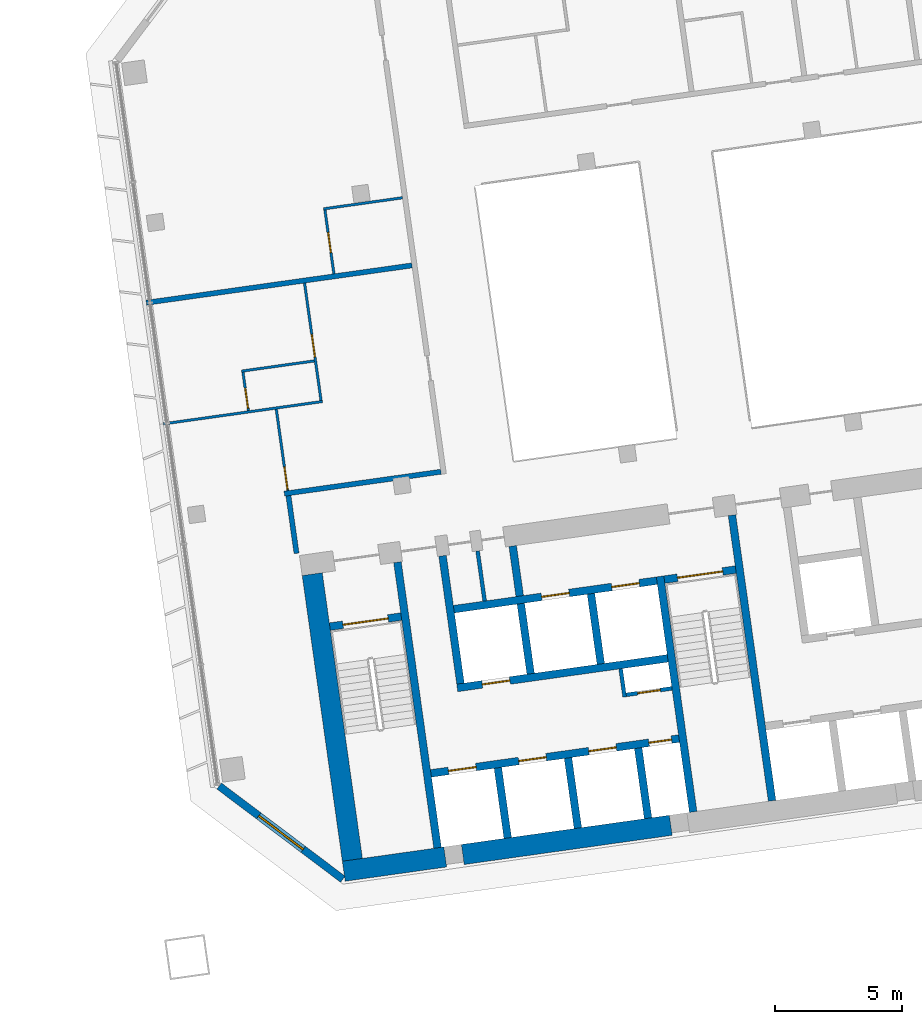
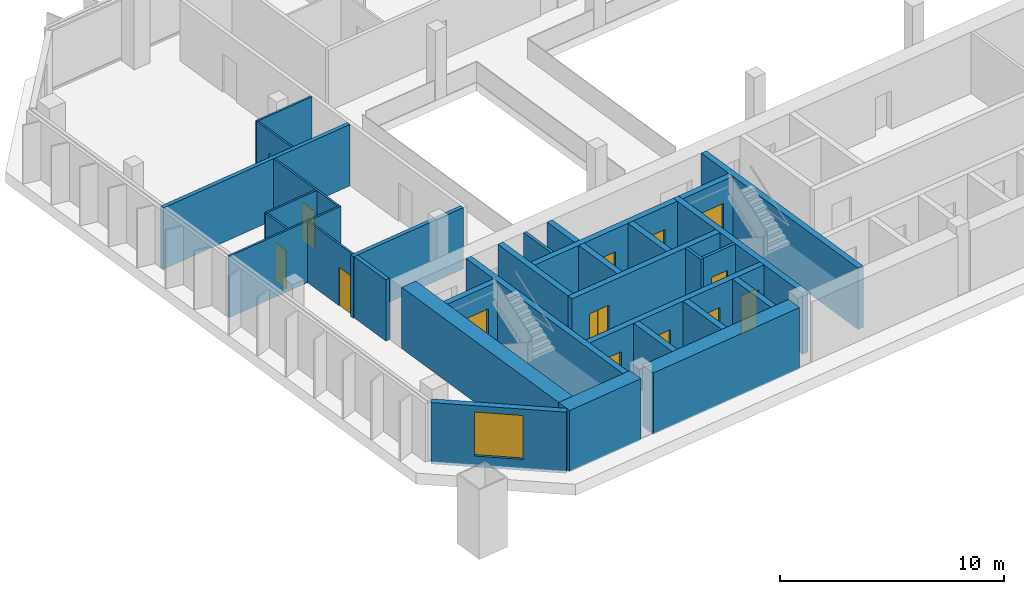
# One storey, part 18 of 24: 32 walls, 14 doors, 1 window, 15 openings.
"""IFC4 building model written with IfcOpenShell, lengths in metres."""

from ifc_helpers import new_model, si_unit, direction, frame, frame_2d, origin, place, context, subcontext, project, spatial, rectangle, extrude, material, layer, layer_set, type_object, element, fill, save


model = new_model("IFC4")

# Units and contexts
model_context = context("Model", 3, precision=1e-05, world=origin(), true_north=direction((0.0, 1.0)))
body_context = subcontext(model_context, "Body", "Model", "MODEL_VIEW")
ifc_project = project(units=[si_unit("LENGTHUNIT", "METRE"), si_unit("AREAUNIT", "SQUARE_METRE"), si_unit("VOLUMEUNIT", "CUBIC_METRE"), si_unit("PLANEANGLEUNIT", "RADIAN"), si_unit("MASSUNIT", "GRAM", prefix="KILO")], contexts=[model_context])

# Site, building, storey
site_placement = place(None, origin())
site = spatial("IfcSite", under=ifc_project, at=site_placement, CompositionType="ELEMENT")
building_placement = place(site_placement, origin())
building = spatial("IfcBuilding", under=site, at=building_placement, Name="Mirante Cascada Hotel Towers", CompositionType="ELEMENT")
storey_placement = place(building_placement, frame((0.0, 0.0, 132.9)))
storey = spatial("IfcBuildingStorey", under=building, at=storey_placement, Name="L30", CompositionType="ELEMENT", Elevation=132.9)

# Walls
ifc_material_1 = material(Name="Fire-rated plasterboard on metal studs")
ifc_layer_1 = layer(ifc_material_1, 0.2)
ifc_layer_set_1 = layer_set([ifc_layer_1], Name="Compartment wall 200 EI 120")
wall_type_1 = type_object("IfcWallType", Name="Compartment wall 200 EI 120", PredefinedType="PARTITIONING", material=ifc_layer_set_1)
wall_1_placement = place(storey_placement, frame((34.7809, -4.7615, 0.0), z_axis=(0.0, 0.0, 1.0), x_axis=(0.9902685, 0.1391698, 0.0)))
element("IfcWall", 1, at=wall_1_placement, inside=storey, type_object=wall_type_1, Name="Wall 2-L30-03", PredefinedType="PARTITIONING", context=body_context, shape_type="SweptSolid", body=[
    extrude(rectangle(XDim=6.2499, YDim=0.2, at=frame_2d((3.125, 0.0))), origin(), (0.0, 0.0, 1.0), 3.35),
])
wall_2_placement = place(storey_placement, frame((29.3273, 2.7863, 0.0), z_axis=(0.0, 0.0, 1.0), x_axis=(0.9902686, 0.1391691, 0.0)))
element("IfcWall", 2, at=wall_2_placement, inside=storey, type_object=wall_type_1, Name="Wall 2-L30-09", PredefinedType="PARTITIONING", context=body_context, shape_type="SweptSolid", body=[
    extrude(rectangle(XDim=10.6001, YDim=0.2, at=frame_2d((5.3, 0.0))), origin(), (0.0, 0.0, 1.0), 3.35),
])
wall_3_placement = place(storey_placement, frame((35.2634, -7.1173, 0.0), z_axis=(0.0, 0.0, 1.0), x_axis=(-0.1391749, 0.9902678, 0.0)))
element("IfcWall", 3, at=wall_3_placement, inside=storey, type_object=wall_type_1, Name="Wall 2-L30-23", PredefinedType="PARTITIONING", context=body_context, shape_type="SweptSolid", body=[
    extrude(rectangle(XDim=2.3, YDim=0.2, at=frame_2d((1.15, 0.0))), origin(), (0.0, 0.0, 1.0), 3.35),
])
ifc_material_2 = material(Name="Masonry block", Category="masonry")
ifc_layer_2 = layer(ifc_material_2, 0.15)
ifc_layer_set_2 = layer_set([ifc_layer_2], Name="Core room partition 150 block EI 30")
wall_type_2 = type_object("IfcWallType", Name="Core room partition 150 block EI 30", PredefinedType="PARTITIONING", material=ifc_layer_set_2)
wall_4_placement = place(storey_placement, frame((48.2295, -12.793, 0.0), z_axis=(0.0, 0.0, 1.0), x_axis=(-0.1391935, 0.9902652, 0.0)))
element("IfcWall", 4, at=wall_4_placement, inside=storey, type_object=wall_type_2, Name="Core wall partition T2 L30 2", PredefinedType="PARTITIONING", context=body_context, shape_type="SweptSolid", body=[
    extrude(rectangle(XDim=1.1251, YDim=0.15, at=frame_2d((0.5626, 0.0))), origin(), (0.0, 0.0, 1.0), 3.35),
])

# Wall, opening, door
wall_5_placement = place(storey_placement, frame((48.2933, -12.7083, 0.0), z_axis=(0.0, 0.0, 1.0), x_axis=(0.990268, 0.1391734, 0.0)))
wall_5 = element("IfcWall", 5, at=wall_5_placement, inside=storey, type_object=wall_type_2, Name="Core wall partition T2 L30 3", PredefinedType="PARTITIONING", context=body_context, shape_type="SweptSolid", body=[
    extrude(rectangle(XDim=1.8251, YDim=0.15, at=frame_2d((0.9126, 0.0))), origin(), (0.0, 0.0, 1.0), 3.35),
])
opening_1_placement = place(wall_5_placement, frame((0.4625, 0.0, 0.0)))
opening_1 = element("IfcOpeningElement", 6, at=opening_1_placement, cuts=wall_5, Name="Opening D2-30-C23", PredefinedType="OPENING", context=body_context, shape_type="SweptSolid", body=[
    extrude(rectangle(XDim=0.9, YDim=2.1, at=frame_2d((0.45, 1.05))), frame((0.0, 0.075, 0.0), z_axis=(0.0, -1.0, 0.0), x_axis=(1.0, 0.0, 0.0)), (0.0, 0.0, 1.0), 0.15),
])
ifc_material_3 = material(Name="Hollow metal fire door leaf")
door_type_1 = type_object("IfcDoorType", Name="Fire door 900x2100 FD60", OperationType="NOTDEFINED", PredefinedType="DOOR", material=ifc_material_3)
door_1_placement = place(opening_1_placement, frame((0.9, 0.0, 0.0), z_axis=(0.0, 0.0, 1.0), x_axis=(-1.0, 0.0, 0.0)))
door_1 = element("IfcDoor", 7, at=door_1_placement, inside=storey, type_object=door_type_1, Name="Riser door T2 L30 23", OperationType="SINGLE_SWING_RIGHT", OverallHeight=2.1, OverallWidth=0.9, PredefinedType="DOOR", context=body_context, shape_type="SweptSolid", body=[
    extrude(rectangle(XDim=0.9, YDim=2.1, at=frame_2d((0.45, 1.05))), frame((0.0, 0.025, 0.0), z_axis=(0.0, -1.0, 0.0), x_axis=(1.0, 0.0, 0.0)), (0.0, 0.0, 1.0), 0.05),
])
fill(opening_1, door_1)

# Walls
wall_6_placement = place(storey_placement, frame((42.6979, -9.0009, 0.0), z_axis=(0.0, 0.0, 1.0), x_axis=(-0.1391529, 0.9902709, 0.0)))
element("IfcWall", 8, at=wall_6_placement, inside=storey, type_object=wall_type_2, Name="Core wall partition T2 L30 4", PredefinedType="PARTITIONING", context=body_context, shape_type="SweptSolid", body=[
    extrude(rectangle(XDim=2.0, YDim=0.15, at=frame_2d((1.0, 0.0))), origin(), (0.0, 0.0, 1.0), 3.35),
])
ifc_material_4 = material(Name="Masonry block", Category="masonry")
ifc_layer_3 = layer(ifc_material_4, 0.3)
ifc_layer_set_3 = layer_set([ifc_layer_3], Name="Core wall 300 block EI 120")
wall_type_3 = type_object("IfcWallType", Name="Core wall 300 block EI 120", PredefinedType="PARTITIONING", material=ifc_layer_set_3)
wall_7_placement = place(storey_placement, frame((44.0843, -8.8061, 0.0), z_axis=(0.0, 0.0, 1.0), x_axis=(-0.1391951, 0.990265, 0.0)))
element("IfcWall", 9, at=wall_7_placement, inside=storey, type_object=wall_type_3, Name="Core wall partition T2 L30 1", PredefinedType="PARTITIONING", context=body_context, shape_type="SweptSolid", body=[
    extrude(rectangle(XDim=2.0001, YDim=0.3, at=frame_2d((1.0001, 0.0))), origin(), (0.0, 0.0, 1.0), 3.35),
])
ifc_material_5 = material(Name="Plasterboard on metal studs")
ifc_layer_4 = layer(ifc_material_5, 0.1)
ifc_layer_set_4 = layer_set([ifc_layer_4], Name="Partition 100")
wall_type_4 = type_object("IfcWallType", Name="Partition 100", PredefinedType="PARTITIONING", material=ifc_layer_set_4)
wall_8_placement = place(storey_placement, frame((36.2882, -1.1163, 0.0), z_axis=(0.0, 0.0, 1.0), x_axis=(-0.9902691, -0.1391656, 0.0)))
element("IfcWall", 10, at=wall_8_placement, inside=storey, type_object=wall_type_4, Name="Wall 2-L30-04", PredefinedType="PARTITIONING", context=body_context, shape_type="SweptSolid", body=[
    extrude(rectangle(XDim=6.35, YDim=0.1, at=frame_2d((3.175, 0.0))), origin(), (0.0, 0.0, 1.0), 3.35),
])
wall_9_placement = place(storey_placement, frame((35.9619, 0.4872, 0.0), z_axis=(0.0, 0.0, 1.0), x_axis=(-0.9902683, -0.1391714, 0.0)))
element("IfcWall", 11, at=wall_9_placement, inside=storey, type_object=wall_type_4, Name="Wall 2-L30-06", PredefinedType="PARTITIONING", context=body_context, shape_type="SweptSolid", body=[
    extrude(rectangle(XDim=2.9, YDim=0.1, at=frame_2d((1.45, 0.0))), origin(), (0.0, 0.0, 1.0), 3.35),
])
wall_10_placement = place(storey_placement, frame((36.3291, 6.4968, 0.0), z_axis=(0.0, 0.0, 1.0), x_axis=(0.9902676, 0.1391765, 0.0)))
element("IfcWall", 12, at=wall_10_placement, inside=storey, type_object=wall_type_4, Name="Wall 2-L30-11", PredefinedType="PARTITIONING", context=body_context, shape_type="SweptSolid", body=[
    extrude(rectangle(XDim=3.15, YDim=0.1, at=frame_2d((1.575, 0.0))), origin(), (0.0, 0.0, 1.0), 3.35),
])

# Wall, opening, door
wall_11_placement = place(storey_placement, frame((33.1466, 0.0411, 0.0), z_axis=(0.0, 0.0, 1.0), x_axis=(0.1391749, -0.9902678, 0.0)))
wall_11 = element("IfcWall", 13, at=wall_11_placement, inside=storey, type_object=wall_type_4, Name="Wall 2-L30-22", PredefinedType="PARTITIONING", context=body_context, shape_type="SweptSolid", body=[
    extrude(rectangle(XDim=1.5333, YDim=0.1, at=frame_2d((0.7667, 0.0))), origin(), (0.0, 0.0, 1.0), 3.35),
])
opening_2_placement = place(wall_11_placement, frame((0.6333, 0.0, 0.0)))
opening_2 = element("IfcOpeningElement", 14, at=opening_2_placement, cuts=wall_11, Name="Opening D2-L30-18", PredefinedType="OPENING", context=body_context, shape_type="SweptSolid", body=[
    extrude(rectangle(XDim=0.8, YDim=2.1, at=frame_2d((0.4, 1.05))), frame((0.0, 0.05, 0.0), z_axis=(0.0, -1.0, 0.0), x_axis=(1.0, 0.0, 0.0)), (0.0, 0.0, 1.0), 0.1),
])
ifc_material_6 = material(Name="Timber door leaf", Category="wood")
door_type_2 = type_object("IfcDoorType", Name="Bathroom door DG4 800x2100", OperationType="SINGLE_SWING_LEFT", PredefinedType="DOOR", material=ifc_material_6)
door_2_placement = place(opening_2_placement, frame((0.8, 0.0, 0.0), z_axis=(0.0, 0.0, 1.0), x_axis=(-1.0, 0.0, 0.0)))
door_2 = element("IfcDoor", 15, at=door_2_placement, inside=storey, type_object=door_type_2, Name="Door D2-L30-18", OperationType="SINGLE_SWING_RIGHT", OverallHeight=2.1, OverallWidth=0.8, PredefinedType="DOOR", context=body_context, shape_type="SweptSolid", body=[
    extrude(rectangle(XDim=0.8, YDim=2.1, at=frame_2d((0.4, 1.05))), frame((0.0, 0.025, 0.0), z_axis=(0.0, -1.0, 0.0), x_axis=(1.0, 0.0, 0.0)), (0.0, 0.0, 1.0), 0.05),
])
fill(opening_2, door_2)

wall_12_placement = place(storey_placement, frame((34.4632, -1.4232, 0.0), z_axis=(0.0, 0.0, 1.0), x_axis=(0.1391681, -0.9902688, 0.0)))
wall_12 = element("IfcWall", 16, at=wall_12_placement, inside=storey, type_object=wall_type_4, Name="Wall 2-L30-24", PredefinedType="PARTITIONING", context=body_context, shape_type="SweptSolid", body=[
    extrude(rectangle(XDim=3.25, YDim=0.1, at=frame_2d((1.625, 0.0))), origin(), (0.0, 0.0, 1.0), 3.35),
])
opening_3_placement = place(wall_12_placement, frame((2.3, 0.0, 0.0)))
opening_3 = element("IfcOpeningElement", 17, at=opening_3_placement, cuts=wall_12, Name="Opening D2-L30-19", PredefinedType="OPENING", context=body_context, shape_type="SweptSolid", body=[
    extrude(rectangle(XDim=0.9, YDim=2.1, at=frame_2d((0.45, 1.05))), frame((0.0, 0.05, 0.0), z_axis=(0.0, -1.0, 0.0), x_axis=(1.0, 0.0, 0.0)), (0.0, 0.0, 1.0), 0.1),
])
ifc_material_7 = material(Name="Timber door leaf", Category="wood")
door_type_3 = type_object("IfcDoorType", Name="Room door DG3 900x2100", OperationType="SINGLE_SWING_LEFT", PredefinedType="DOOR", material=ifc_material_7)
door_3_placement = place(opening_3_placement, frame((0.9, 0.0, 0.0), z_axis=(0.0, 0.0, 1.0), x_axis=(-1.0, 0.0, 0.0)))
door_3 = element("IfcDoor", 18, at=door_3_placement, inside=storey, type_object=door_type_3, Name="Door D2-L30-19", OperationType="SINGLE_SWING_RIGHT", OverallHeight=2.1, OverallWidth=0.9, PredefinedType="DOOR", context=body_context, shape_type="SweptSolid", body=[
    extrude(rectangle(XDim=0.9, YDim=2.1, at=frame_2d((0.45, 1.05))), frame((0.0, 0.025, 0.0), z_axis=(0.0, -1.0, 0.0), x_axis=(1.0, 0.0, 0.0)), (0.0, 0.0, 1.0), 0.05),
])
fill(opening_3, door_3)

wall_13_placement = place(storey_placement, frame((36.2317, -1.0737, 0.0), z_axis=(0.0, 0.0, 1.0), x_axis=(-0.139176, 0.9902677, 0.0)))
wall_13 = element("IfcWall", 19, at=wall_13_placement, inside=storey, type_object=wall_type_4, Name="Wall 2-L30-25", PredefinedType="PARTITIONING", context=body_context, shape_type="SweptSolid", body=[
    extrude(rectangle(XDim=4.6833, YDim=0.1, at=frame_2d((2.3416, 0.0))), origin(), (0.0, 0.0, 1.0), 3.35),
])
opening_4_placement = place(wall_13_placement, frame((1.7333, 0.0, 0.0)))
opening_4 = element("IfcOpeningElement", 20, at=opening_4_placement, cuts=wall_13, Name="Opening D2-L30-20", PredefinedType="OPENING", context=body_context, shape_type="SweptSolid", body=[
    extrude(rectangle(XDim=0.9, YDim=2.1, at=frame_2d((0.45, 1.05))), frame((0.0, 0.05, 0.0), z_axis=(0.0, -1.0, 0.0), x_axis=(1.0, 0.0, 0.0)), (0.0, 0.0, 1.0), 0.1),
])
door_4_placement = place(opening_4_placement, frame((0.9, 0.0, 0.0), z_axis=(0.0, 0.0, 1.0), x_axis=(-1.0, 0.0, 0.0)))
door_4 = element("IfcDoor", 21, at=door_4_placement, inside=storey, type_object=door_type_3, Name="Door D2-L30-20", OperationType="SINGLE_SWING_RIGHT", OverallHeight=2.1, OverallWidth=0.9, PredefinedType="DOOR", context=body_context, shape_type="SweptSolid", body=[
    extrude(rectangle(XDim=0.9, YDim=2.1, at=frame_2d((0.45, 1.05))), frame((0.0, 0.025, 0.0), z_axis=(0.0, -1.0, 0.0), x_axis=(1.0, 0.0, 0.0)), (0.0, 0.0, 1.0), 0.05),
])
fill(opening_4, door_4)

wall_14_placement = place(storey_placement, frame((36.3855, 6.4543, 0.0), z_axis=(0.0, 0.0, 1.0), x_axis=(0.1391755, -0.9902677, 0.0)))
wall_14 = element("IfcWall", 22, at=wall_14_placement, inside=storey, type_object=wall_type_4, Name="Wall 2-L30-26", PredefinedType="PARTITIONING", context=body_context, shape_type="SweptSolid", body=[
    extrude(rectangle(XDim=2.55, YDim=0.1, at=frame_2d((1.275, 0.0))), origin(), (0.0, 0.0, 1.0), 3.35),
])
opening_5_placement = place(wall_14_placement, frame((0.9, 0.0, 0.0)))
opening_5 = element("IfcOpeningElement", 23, at=opening_5_placement, cuts=wall_14, Name="Opening D2-L30-21", PredefinedType="OPENING", context=body_context, shape_type="SweptSolid", body=[
    extrude(rectangle(XDim=0.8, YDim=2.1, at=frame_2d((0.4, 1.05))), frame((0.0, 0.05, 0.0), z_axis=(0.0, -1.0, 0.0), x_axis=(1.0, 0.0, 0.0)), (0.0, 0.0, 1.0), 0.1),
])
door_5_placement = place(opening_5_placement, frame((0.8, 0.0, 0.0), z_axis=(0.0, 0.0, 1.0), x_axis=(-1.0, 0.0, 0.0)))
door_5 = element("IfcDoor", 24, at=door_5_placement, inside=storey, type_object=door_type_2, Name="Door D2-L30-21", OperationType="SINGLE_SWING_RIGHT", OverallHeight=2.1, OverallWidth=0.8, PredefinedType="DOOR", context=body_context, shape_type="SweptSolid", body=[
    extrude(rectangle(XDim=0.8, YDim=2.1, at=frame_2d((0.4, 1.05))), frame((0.0, 0.025, 0.0), z_axis=(0.0, -1.0, 0.0), x_axis=(1.0, 0.0, 0.0)), (0.0, 0.0, 1.0), 0.05),
])
fill(opening_5, door_5)

# Wall, opening, window
ifc_material_8 = material(Name="Precast concrete C40/50", Category="concrete")
ifc_layer_5 = layer(ifc_material_8, 0.3)
ifc_layer_set_5 = layer_set([ifc_layer_5], Name="Precast concrete C40/50 cladding wall 300")
wall_type_5 = type_object("IfcWallType", Name="Precast concrete C40/50 cladding wall 300", PredefinedType="STANDARD", material=ifc_layer_set_5)
wall_15_placement = place(storey_placement, frame((32.2074, -16.3138, 0.0), z_axis=(0.0, 0.0, 1.0), x_axis=(0.7986362, -0.6018141, 0.0)))
wall_15 = element("IfcWall", 25, at=wall_15_placement, inside=storey, type_object=wall_type_5, Name="Corner cladding wall T2 L30 inner rear", PredefinedType="STANDARD", context=body_context, shape_type="SweptSolid", body=[
    extrude(rectangle(XDim=6.1157, YDim=0.3, at=frame_2d((3.0578, 0.0))), origin(), (0.0, 0.0, 1.0), 3.35),
])
opening_6_placement = place(wall_15_placement, frame((1.9578, 0.0, 0.6)))
opening_6 = element("IfcOpeningElement", 26, at=opening_6_placement, cuts=wall_15, Name="Opening W2-30-06", PredefinedType="OPENING", context=body_context, shape_type="SweptSolid", body=[
    extrude(rectangle(XDim=2.2, YDim=2.4, at=frame_2d((1.1, 1.2))), frame((0.0, 0.15, 0.0), z_axis=(0.0, -1.0, 0.0), x_axis=(1.0, 0.0, 0.0)), (0.0, 0.0, 1.0), 0.3),
])
ifc_material_9 = material(Name="Aluminium frame with clear double glazing", Category="aluminium")
window_type = type_object("IfcWindowType", Name="Corner suite window 2200x2400", PartitioningType="DOUBLE_PANEL_VERTICAL", PredefinedType="WINDOW", material=ifc_material_9)
window_placement = place(opening_6_placement, origin())
window = element("IfcWindow", 27, at=window_placement, inside=storey, type_object=window_type, Name="Window W2-30-06", OverallHeight=2.4, OverallWidth=2.2, PartitioningType="SINGLE_PANEL", PredefinedType="WINDOW", context=body_context, shape_type="SweptSolid", body=[
    extrude(rectangle(XDim=2.2, YDim=2.4, at=frame_2d((1.1, 1.2))), frame((0.0, 0.03, 0.0), z_axis=(0.0, -1.0, 0.0), x_axis=(1.0, 0.0, 0.0)), (0.0, 0.0, 1.0), 0.06),
])
fill(opening_6, window)

# Walls
ifc_material_10 = material(Name="Concrete C50/60", Category="concrete")
ifc_layer_6 = layer(ifc_material_10, 0.3)
ifc_layer_set_6 = layer_set([ifc_layer_6], Name="RC core wall 300 C50/60")
wall_type_6 = type_object("IfcWallType", Name="RC core wall 300 C50/60", PredefinedType="SHEAR", material=ifc_layer_set_6)
wall_16_placement = place(storey_placement, frame((40.8373, -18.7548, 0.0), z_axis=(0.0, 0.0, 1.0), x_axis=(-0.1391749, 0.9902678, 0.0)))
element("IfcWall", 28, at=wall_16_placement, inside=storey, type_object=wall_type_6, Name="Core wall T2:L30:5", PredefinedType="SHEAR", context=body_context, shape_type="SweptSolid", body=[
    extrude(rectangle(XDim=11.4, YDim=0.3, at=frame_2d((5.7, 0.0))), origin(), (0.0, 0.0, 1.0), 3.35),
])
wall_17_placement = place(storey_placement, frame((50.938, -17.3352, 0.0), z_axis=(0.0, 0.0, 1.0), x_axis=(-0.1391706, 0.9902684, 0.0)))
element("IfcWall", 29, at=wall_17_placement, inside=storey, type_object=wall_type_6, Name="Core wall T2:L30:6", PredefinedType="SHEAR", context=body_context, shape_type="SweptSolid", body=[
    extrude(rectangle(XDim=9.4, YDim=0.3, at=frame_2d((4.7, 0.0))), origin(), (0.0, 0.0, 1.0), 3.35),
])
wall_18_placement = place(storey_placement, frame((54.0574, -16.8968, 0.0), z_axis=(0.0, 0.0, 1.0), x_axis=(-0.1391761, 0.9902677, 0.0)))
element("IfcWall", 30, at=wall_18_placement, inside=storey, type_object=wall_type_6, Name="Core wall T2:L30:7", PredefinedType="SHEAR", context=body_context, shape_type="SweptSolid", body=[
    extrude(rectangle(XDim=11.3999, YDim=0.3, at=frame_2d((5.7, 0.0))), origin(), (0.0, 0.0, 1.0), 3.35),
])

# Wall, opening, door
wall_19_placement = place(storey_placement, frame((36.5791, -10.0123, 0.0), z_axis=(0.0, 0.0, 1.0), x_axis=(0.9902704, 0.1391564, 0.0)))
wall_19 = element("IfcWall", 31, at=wall_19_placement, inside=storey, type_object=wall_type_6, Name="Core wall T2:L30:9", PredefinedType="SHEAR", context=body_context, shape_type="SweptSolid", body=[
    extrude(rectangle(XDim=2.85, YDim=0.3, at=frame_2d((1.425, 0.0))), origin(), (0.0, 0.0, 1.0), 3.35),
])
opening_7_placement = place(wall_19_placement, frame((0.525, 0.0, 0.0)))
opening_7 = element("IfcOpeningElement", 32, at=opening_7_placement, cuts=wall_19, Name="Opening D2-30-C13", PredefinedType="OPENING", context=body_context, shape_type="SweptSolid", body=[
    extrude(rectangle(XDim=1.8, YDim=2.1, at=frame_2d((0.9, 1.05))), frame((0.0, 0.15, 0.0), z_axis=(0.0, -1.0, 0.0), x_axis=(1.0, 0.0, 0.0)), (0.0, 0.0, 1.0), 0.3),
])
ifc_material_11 = material(Name="Hollow metal fire door leaf")
door_type_4 = type_object("IfcDoorType", Name="Double fire door 1800x2100 FD60", OperationType="DOUBLE_DOOR_SINGLE_SWING", PredefinedType="DOOR", material=ifc_material_11)
door_6_placement = place(opening_7_placement, frame((1.8, 0.0, 0.0), z_axis=(0.0, 0.0, 1.0), x_axis=(-1.0, 0.0, 0.0)))
door_6 = element("IfcDoor", 33, at=door_6_placement, inside=storey, type_object=door_type_4, Name="Stair door T2 L30 13", OperationType="DOUBLE_DOOR_SINGLE_SWING", OverallHeight=2.1, OverallWidth=1.8, PredefinedType="DOOR", context=body_context, shape_type="SweptSolid", body=[
    extrude(rectangle(XDim=0.895, YDim=2.1, at=frame_2d((0.4475, 1.05))), frame((0.0, 0.025, 0.0), z_axis=(0.0, -1.0, 0.0), x_axis=(1.0, 0.0, 0.0)), (0.0, 0.0, 1.0), 0.05),
    extrude(rectangle(XDim=0.895, YDim=2.1, at=frame_2d((1.3525, 1.05))), frame((0.0, 0.025, 0.0), z_axis=(0.0, -1.0, 0.0), x_axis=(1.0, 0.0, 0.0)), (0.0, 0.0, 1.0), 0.05),
])
fill(opening_7, door_6)

wall_20_placement = place(storey_placement, frame((49.7992, -8.1544, 0.0), z_axis=(0.0, 0.0, 1.0), x_axis=(0.9902656, 0.1391909, 0.0)))
wall_20 = element("IfcWall", 34, at=wall_20_placement, inside=storey, type_object=wall_type_6, Name="Core wall T2:L30:10", PredefinedType="SHEAR", context=body_context, shape_type="SweptSolid", body=[
    extrude(rectangle(XDim=2.85, YDim=0.3, at=frame_2d((1.425, 0.0))), origin(), (0.0, 0.0, 1.0), 3.35),
])
opening_8_placement = place(wall_20_placement, frame((0.525, 0.0, 0.0)))
opening_8 = element("IfcOpeningElement", 35, at=opening_8_placement, cuts=wall_20, Name="Opening D2-30-C15", PredefinedType="OPENING", context=body_context, shape_type="SweptSolid", body=[
    extrude(rectangle(XDim=1.8, YDim=2.1, at=frame_2d((0.9, 1.05))), frame((0.0, 0.15, 0.0), z_axis=(0.0, -1.0, 0.0), x_axis=(1.0, 0.0, 0.0)), (0.0, 0.0, 1.0), 0.3),
])
door_7_placement = place(opening_8_placement, frame((1.8, 0.0, 0.0), z_axis=(0.0, 0.0, 1.0), x_axis=(-1.0, 0.0, 0.0)))
door_7 = element("IfcDoor", 36, at=door_7_placement, inside=storey, type_object=door_type_4, Name="Stair door T2 L30 15", OperationType="DOUBLE_DOOR_SINGLE_SWING", OverallHeight=2.1, OverallWidth=1.8, PredefinedType="DOOR", context=body_context, shape_type="SweptSolid", body=[
    extrude(rectangle(XDim=0.895, YDim=2.1, at=frame_2d((0.4475, 1.05))), frame((0.0, 0.025, 0.0), z_axis=(0.0, -1.0, 0.0), x_axis=(1.0, 0.0, 0.0)), (0.0, 0.0, 1.0), 0.05),
    extrude(rectangle(XDim=0.895, YDim=2.1, at=frame_2d((1.3525, 1.05))), frame((0.0, 0.025, 0.0), z_axis=(0.0, -1.0, 0.0), x_axis=(1.0, 0.0, 0.0)), (0.0, 0.0, 1.0), 0.05),
])
fill(opening_8, door_7)

# Wall, openings, doors
wall_21_placement = place(storey_placement, frame((40.5753, -15.8126, 0.0), z_axis=(0.0, 0.0, 1.0), x_axis=(0.9902682, 0.1391725, 0.0)))
wall_21 = element("IfcWall", 37, at=wall_21_placement, inside=storey, type_object=wall_type_6, Name="Core wall T2:L30:12", PredefinedType="SHEAR", context=body_context, shape_type="SweptSolid", body=[
    extrude(rectangle(XDim=9.8999, YDim=0.3, at=frame_2d((4.95, 0.0))), origin(), (0.0, 0.0, 1.0), 3.35),
])
opening_9_placement = place(wall_21_placement, frame((0.7, 0.0, 0.0)))
opening_9 = element("IfcOpeningElement", 38, at=opening_9_placement, cuts=wall_21, Name="Opening LD", PredefinedType="OPENING", context=body_context, shape_type="SweptSolid", body=[
    extrude(rectangle(XDim=1.1, YDim=2.1, at=frame_2d((0.55, 1.05))), frame((0.0, 0.15, 0.0), z_axis=(0.0, -1.0, 0.0), x_axis=(1.0, 0.0, 0.0)), (0.0, 0.0, 1.0), 0.3),
])
opening_10_placement = place(wall_21_placement, frame((3.5, 0.0, 0.0)))
opening_10 = element("IfcOpeningElement", 39, at=opening_10_placement, cuts=wall_21, Name="Opening LD", PredefinedType="OPENING", context=body_context, shape_type="SweptSolid", body=[
    extrude(rectangle(XDim=1.1, YDim=2.1, at=frame_2d((0.55, 1.05))), frame((0.0, 0.15, 0.0), z_axis=(0.0, -1.0, 0.0), x_axis=(1.0, 0.0, 0.0)), (0.0, 0.0, 1.0), 0.3),
])
opening_11_placement = place(wall_21_placement, frame((6.3, 0.0, 0.0)))
opening_11 = element("IfcOpeningElement", 40, at=opening_11_placement, cuts=wall_21, Name="Opening LD", PredefinedType="OPENING", context=body_context, shape_type="SweptSolid", body=[
    extrude(rectangle(XDim=1.1, YDim=2.1, at=frame_2d((0.55, 1.05))), frame((0.0, 0.15, 0.0), z_axis=(0.0, -1.0, 0.0), x_axis=(1.0, 0.0, 0.0)), (0.0, 0.0, 1.0), 0.3),
])
opening_12_placement = place(wall_21_placement, frame((8.7, 0.0, 0.0)))
opening_12 = element("IfcOpeningElement", 41, at=opening_12_placement, cuts=wall_21, Name="Opening D2-30-C22", PredefinedType="OPENING", context=body_context, shape_type="SweptSolid", body=[
    extrude(rectangle(XDim=0.9, YDim=2.1, at=frame_2d((0.45, 1.05))), frame((0.0, 0.15, 0.0), z_axis=(0.0, -1.0, 0.0), x_axis=(1.0, 0.0, 0.0)), (0.0, 0.0, 1.0), 0.3),
])
door_8_placement = place(opening_12_placement, frame((0.9, 0.0, 0.0), z_axis=(0.0, 0.0, 1.0), x_axis=(-1.0, 0.0, 0.0)))
door_8 = element("IfcDoor", 42, at=door_8_placement, inside=storey, type_object=door_type_1, Name="Riser door T2 L30 22", OperationType="SINGLE_SWING_RIGHT", OverallHeight=2.1, OverallWidth=0.9, PredefinedType="DOOR", context=body_context, shape_type="SweptSolid", body=[
    extrude(rectangle(XDim=0.9, YDim=2.1, at=frame_2d((0.45, 1.05))), frame((0.0, 0.025, 0.0), z_axis=(0.0, -1.0, 0.0), x_axis=(1.0, 0.0, 0.0)), (0.0, 0.0, 1.0), 0.05),
])
fill(opening_12, door_8)
ifc_material_12 = material(Name="Stainless steel", Category="steel")
door_type_5 = type_object("IfcDoorType", Name="Lift landing door 1100x2100 EI 120", OperationType="DOUBLE_DOOR_SLIDING", PredefinedType="DOOR", material=ifc_material_12)
door_9_placement = place(opening_9_placement, origin())
door_9 = element("IfcDoor", 43, at=door_9_placement, inside=storey, type_object=door_type_5, Name="Lift landing door HR2-1 L30", OperationType="DOUBLE_DOOR_SLIDING", OverallHeight=2.1, OverallWidth=1.1, PredefinedType="DOOR", context=body_context, shape_type="SweptSolid", body=[
    extrude(rectangle(XDim=0.545, YDim=2.1, at=frame_2d((0.2725, 1.05))), frame((0.0, 0.025, 0.0), z_axis=(0.0, -1.0, 0.0), x_axis=(1.0, 0.0, 0.0)), (0.0, 0.0, 1.0), 0.05),
    extrude(rectangle(XDim=0.545, YDim=2.1, at=frame_2d((0.8275, 1.05))), frame((0.0, 0.025, 0.0), z_axis=(0.0, -1.0, 0.0), x_axis=(1.0, 0.0, 0.0)), (0.0, 0.0, 1.0), 0.05),
])
fill(opening_9, door_9)
door_10_placement = place(opening_10_placement, origin())
door_10 = element("IfcDoor", 44, at=door_10_placement, inside=storey, type_object=door_type_5, Name="Lift landing door HR2-2 L30", OperationType="DOUBLE_DOOR_SLIDING", OverallHeight=2.1, OverallWidth=1.1, PredefinedType="DOOR", context=body_context, shape_type="SweptSolid", body=[
    extrude(rectangle(XDim=0.545, YDim=2.1, at=frame_2d((0.2725, 1.05))), frame((0.0, 0.025, 0.0), z_axis=(0.0, -1.0, 0.0), x_axis=(1.0, 0.0, 0.0)), (0.0, 0.0, 1.0), 0.05),
    extrude(rectangle(XDim=0.545, YDim=2.1, at=frame_2d((0.8275, 1.05))), frame((0.0, 0.025, 0.0), z_axis=(0.0, -1.0, 0.0), x_axis=(1.0, 0.0, 0.0)), (0.0, 0.0, 1.0), 0.05),
])
fill(opening_10, door_10)
door_11_placement = place(opening_11_placement, origin())
door_11 = element("IfcDoor", 45, at=door_11_placement, inside=storey, type_object=door_type_5, Name="Lift landing door HR2-3 L30", OperationType="DOUBLE_DOOR_SLIDING", OverallHeight=2.1, OverallWidth=1.1, PredefinedType="DOOR", context=body_context, shape_type="SweptSolid", body=[
    extrude(rectangle(XDim=0.545, YDim=2.1, at=frame_2d((0.2725, 1.05))), frame((0.0, 0.025, 0.0), z_axis=(0.0, -1.0, 0.0), x_axis=(1.0, 0.0, 0.0)), (0.0, 0.0, 1.0), 0.05),
    extrude(rectangle(XDim=0.545, YDim=2.1, at=frame_2d((0.8275, 1.05))), frame((0.0, 0.025, 0.0), z_axis=(0.0, -1.0, 0.0), x_axis=(1.0, 0.0, 0.0)), (0.0, 0.0, 1.0), 0.05),
])
fill(opening_11, door_11)

# Wall, opening, door
wall_22_placement = place(storey_placement, frame((41.6153, -12.435, 0.0), z_axis=(0.0, 0.0, 1.0), x_axis=(0.9902691, 0.139166, 0.0)))
wall_22 = element("IfcWall", 46, at=wall_22_placement, inside=storey, type_object=wall_type_6, Name="Core wall T2:L30:13", PredefinedType="SHEAR", context=body_context, shape_type="SweptSolid", body=[
    extrude(rectangle(XDim=8.4, YDim=0.3, at=frame_2d((4.2, 0.0))), origin(), (0.0, 0.0, 1.0), 3.35),
])
opening_13_placement = place(wall_22_placement, frame((1.0, 0.0, 0.0)))
opening_13 = element("IfcOpeningElement", 47, at=opening_13_placement, cuts=wall_22, Name="Opening LD", PredefinedType="OPENING", context=body_context, shape_type="SweptSolid", body=[
    extrude(rectangle(XDim=1.1, YDim=2.1, at=frame_2d((0.55, 1.05))), frame((0.0, 0.15, 0.0), z_axis=(0.0, -1.0, 0.0), x_axis=(1.0, 0.0, 0.0)), (0.0, 0.0, 1.0), 0.3),
])
door_12_placement = place(opening_13_placement, origin())
door_12 = element("IfcDoor", 48, at=door_12_placement, inside=storey, type_object=door_type_5, Name="Lift landing door HR2-4 L30", OperationType="DOUBLE_DOOR_SLIDING", OverallHeight=2.1, OverallWidth=1.1, PredefinedType="DOOR", context=body_context, shape_type="SweptSolid", body=[
    extrude(rectangle(XDim=0.545, YDim=2.1, at=frame_2d((0.2725, 1.05))), frame((0.0, 0.025, 0.0), z_axis=(0.0, -1.0, 0.0), x_axis=(1.0, 0.0, 0.0)), (0.0, 0.0, 1.0), 0.05),
    extrude(rectangle(XDim=0.545, YDim=2.1, at=frame_2d((0.8275, 1.05))), frame((0.0, 0.025, 0.0), z_axis=(0.0, -1.0, 0.0), x_axis=(1.0, 0.0, 0.0)), (0.0, 0.0, 1.0), 0.05),
])
fill(opening_13, door_12)

# Wall, openings, doors
wall_23_placement = place(storey_placement, frame((41.481, -9.3234, 0.0), z_axis=(0.0, 0.0, 1.0), x_axis=(0.9902679, 0.1391741, 0.0)))
wall_23 = element("IfcWall", 49, at=wall_23_placement, inside=storey, type_object=wall_type_6, Name="Core wall T2:L30:14", PredefinedType="SHEAR", context=body_context, shape_type="SweptSolid", body=[
    extrude(rectangle(XDim=8.0999, YDim=0.3, at=frame_2d((4.05, 0.0))), origin(), (0.0, 0.0, 1.0), 3.35),
])
opening_14_placement = place(wall_23_placement, frame((3.5, 0.0, 0.0)))
opening_14 = element("IfcOpeningElement", 50, at=opening_14_placement, cuts=wall_23, Name="Opening LD", PredefinedType="OPENING", context=body_context, shape_type="SweptSolid", body=[
    extrude(rectangle(XDim=1.1, YDim=2.1, at=frame_2d((0.55, 1.05))), frame((0.0, 0.15, 0.0), z_axis=(0.0, -1.0, 0.0), x_axis=(1.0, 0.0, 0.0)), (0.0, 0.0, 1.0), 0.3),
])
opening_15_placement = place(wall_23_placement, frame((6.3, 0.0, 0.0)))
opening_15 = element("IfcOpeningElement", 51, at=opening_15_placement, cuts=wall_23, Name="Opening LD", PredefinedType="OPENING", context=body_context, shape_type="SweptSolid", body=[
    extrude(rectangle(XDim=1.1, YDim=2.1, at=frame_2d((0.55, 1.05))), frame((0.0, 0.15, 0.0), z_axis=(0.0, -1.0, 0.0), x_axis=(1.0, 0.0, 0.0)), (0.0, 0.0, 1.0), 0.3),
])
door_13_placement = place(opening_14_placement, origin())
door_13 = element("IfcDoor", 52, at=door_13_placement, inside=storey, type_object=door_type_5, Name="Lift landing door FF3 L30", OperationType="DOUBLE_DOOR_SLIDING", OverallHeight=2.1, OverallWidth=1.1, PredefinedType="DOOR", context=body_context, shape_type="SweptSolid", body=[
    extrude(rectangle(XDim=0.545, YDim=2.1, at=frame_2d((0.2725, 1.05))), frame((0.0, 0.025, 0.0), z_axis=(0.0, -1.0, 0.0), x_axis=(1.0, 0.0, 0.0)), (0.0, 0.0, 1.0), 0.05),
    extrude(rectangle(XDim=0.545, YDim=2.1, at=frame_2d((0.8275, 1.05))), frame((0.0, 0.025, 0.0), z_axis=(0.0, -1.0, 0.0), x_axis=(1.0, 0.0, 0.0)), (0.0, 0.0, 1.0), 0.05),
])
fill(opening_14, door_13)
door_14_placement = place(opening_15_placement, origin())
door_14 = element("IfcDoor", 53, at=door_14_placement, inside=storey, type_object=door_type_5, Name="Lift landing door FF4 L30", OperationType="DOUBLE_DOOR_SLIDING", OverallHeight=2.1, OverallWidth=1.1, PredefinedType="DOOR", context=body_context, shape_type="SweptSolid", body=[
    extrude(rectangle(XDim=0.545, YDim=2.1, at=frame_2d((0.2725, 1.05))), frame((0.0, 0.025, 0.0), z_axis=(0.0, -1.0, 0.0), x_axis=(1.0, 0.0, 0.0)), (0.0, 0.0, 1.0), 0.05),
    extrude(rectangle(XDim=0.545, YDim=2.1, at=frame_2d((0.8275, 1.05))), frame((0.0, 0.025, 0.0), z_axis=(0.0, -1.0, 0.0), x_axis=(1.0, 0.0, 0.0)), (0.0, 0.0, 1.0), 0.05),
])
fill(opening_15, door_14)

# Walls
wall_24_placement = place(storey_placement, frame((43.61, -18.3651, 0.0), z_axis=(0.0, 0.0, 1.0), x_axis=(-0.1391459, 0.9902719, 0.0)))
element("IfcWall", 54, at=wall_24_placement, inside=storey, type_object=wall_type_6, Name="Core wall T2:L30:15", PredefinedType="SHEAR", context=body_context, shape_type="SweptSolid", body=[
    extrude(rectangle(XDim=2.7999, YDim=0.3, at=frame_2d((1.4, 0.0))), origin(), (0.0, 0.0, 1.0), 3.35),
])
wall_25_placement = place(storey_placement, frame((46.3828, -17.9754, 0.0), z_axis=(0.0, 0.0, 1.0), x_axis=(-0.139181, 0.990267, 0.0)))
element("IfcWall", 55, at=wall_25_placement, inside=storey, type_object=wall_type_6, Name="Core wall T2:L30:16", PredefinedType="SHEAR", context=body_context, shape_type="SweptSolid", body=[
    extrude(rectangle(XDim=2.8, YDim=0.3, at=frame_2d((1.4, 0.0))), origin(), (0.0, 0.0, 1.0), 3.35),
])
wall_26_placement = place(storey_placement, frame((49.1555, -17.5857, 0.0), z_axis=(0.0, 0.0, 1.0), x_axis=(-0.1391459, 0.9902719, 0.0)))
element("IfcWall", 56, at=wall_26_placement, inside=storey, type_object=wall_type_6, Name="Core wall T2:L30:17", PredefinedType="SHEAR", context=body_context, shape_type="SweptSolid", body=[
    extrude(rectangle(XDim=2.7999, YDim=0.3, at=frame_2d((1.4, 0.0))), origin(), (0.0, 0.0, 1.0), 3.35),
])
for number, where, z_axis, x_axis, name in (
    (57, (44.5157, -11.8759, 0.0), (0.0, 0.0, 1.0), (-0.139181, 0.990267, 0.0), "Core wall T2:L30:18"),
    (58, (47.2885, -11.4862, 0.0), (0.0, 0.0, 1.0), (-0.139181, 0.990267, 0.0), "Core wall T2:L30:19"),
):
    element("IfcWall", number, at=place(storey_placement, frame(where, z_axis=z_axis, x_axis=x_axis)), inside=storey, type_object=wall_type_6, Name=name, PredefinedType="SHEAR", context=body_context, shape_type="SweptSolid", body=[
        extrude(rectangle(XDim=2.8, YDim=0.3, at=frame_2d((1.4, 0.0))), origin(), (0.0, 0.0, 1.0), 3.35),
    ])
wall_27_placement = place(storey_placement, frame((41.743, -12.2656, 0.0), z_axis=(0.0, 0.0, 1.0), x_axis=(-0.1391755, 0.9902677, 0.0)))
element("IfcWall", 59, at=wall_27_placement, inside=storey, type_object=wall_type_6, Name="Core wall T2:L30:20", PredefinedType="SHEAR", context=body_context, shape_type="SweptSolid", body=[
    extrude(rectangle(XDim=5.1, YDim=0.3, at=frame_2d((2.55, 0.0))), origin(), (0.0, 0.0, 1.0), 3.35),
])
ifc_material_13 = material(Name="Concrete C50/60", Category="concrete")
ifc_layer_7 = layer(ifc_material_13, 0.8)
ifc_layer_set_7 = layer_set([ifc_layer_7], Name="RC core wall 800 C50/60")
wall_type_7 = type_object("IfcWallType", Name="RC core wall 800 C50/60", PredefinedType="SHEAR", material=ifc_layer_set_7)
wall_28_placement = place(storey_placement, frame((37.1299, -19.6798, 0.0), z_axis=(0.0, 0.0, 1.0), x_axis=(0.9902665, 0.1391845, 0.0)))
element("IfcWall", 60, at=wall_28_placement, inside=storey, type_object=wall_type_7, Name="Core wall T2:L30:1.1", PredefinedType="SHEAR", context=body_context, shape_type="SweptSolid", body=[
    extrude(rectangle(XDim=4.05, YDim=0.8, at=frame_2d((2.025, 0.0))), origin(), (0.0, 0.0, 1.0), 3.35),
])
wall_29_placement = place(storey_placement, frame((41.8337, -19.0187, 0.0), z_axis=(0.0, 0.0, 1.0), x_axis=(0.9902686, 0.1391692, 0.0)))
element("IfcWall", 61, at=wall_29_placement, inside=storey, type_object=wall_type_7, Name="Core wall T2:L30:1.2", PredefinedType="SHEAR", context=body_context, shape_type="SweptSolid", body=[
    extrude(rectangle(XDim=8.3, YDim=0.8, at=frame_2d((4.15, 0.0))), origin(), (0.0, 0.0, 1.0), 3.35),
])
wall_30_placement = place(storey_placement, frame((37.4704, -19.228, 0.0), z_axis=(0.0, 0.0, 1.0), x_axis=(-0.1391749, 0.9902678, 0.0)))
element("IfcWall", 62, at=wall_30_placement, inside=storey, type_object=wall_type_7, Name="Core wall T2:L30:3", PredefinedType="SHEAR", context=body_context, shape_type="SweptSolid", body=[
    extrude(rectangle(XDim=11.4, YDim=0.8, at=frame_2d((5.7, 0.0))), origin(), (0.0, 0.0, 1.0), 3.35),
])

save(model, "model.ifc")
